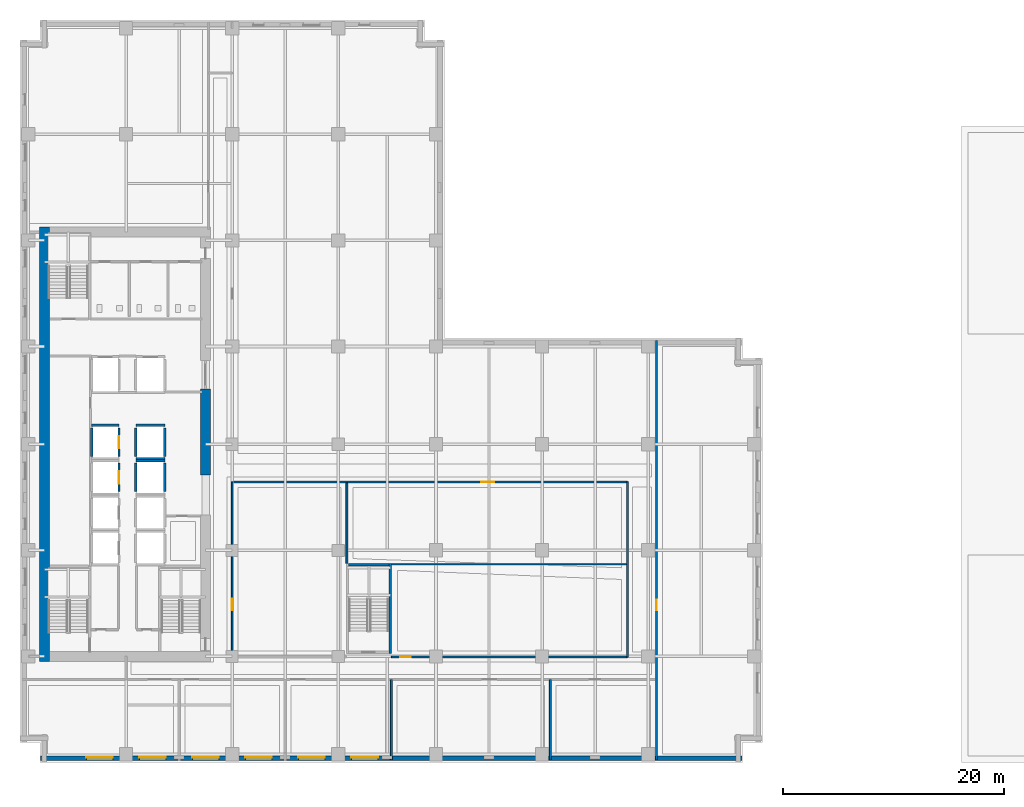
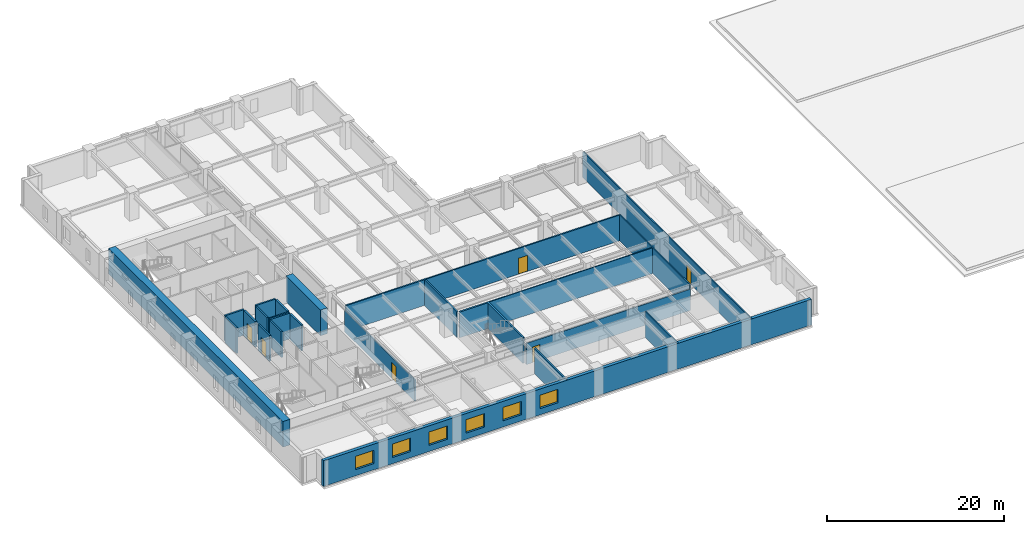
# One storey, part 5 of 14: 25 walls, 6 doors, 6 windows, 12 openings.
"""IFC4 building model written with IfcOpenShell, lengths in metres."""

from ifc_helpers import new_model, si_unit, direction, frame, frame_2d, origin, place, context, subcontext, project, spatial, rectangle, extrude, material, layer, layer_set, type_object, element, fill, save


model = new_model("IFC4")

# Units and contexts
model_context = context("Model", 3, precision=1e-05, world=origin(), true_north=direction((0.0, 1.0)))
body_context = subcontext(model_context, "Body", "Model", "MODEL_VIEW")
ifc_project = project(units=[si_unit("LENGTHUNIT", "METRE"), si_unit("AREAUNIT", "SQUARE_METRE"), si_unit("VOLUMEUNIT", "CUBIC_METRE"), si_unit("PLANEANGLEUNIT", "RADIAN"), si_unit("MASSUNIT", "GRAM", prefix="KILO")], contexts=[model_context])

# Site, building, storey
site_placement = place(None, origin())
site = spatial("IfcSite", under=ifc_project, at=site_placement, CompositionType="ELEMENT")
building_placement = place(site_placement, origin())
building = spatial("IfcBuilding", under=site, at=building_placement, Name="Norrvale University Quadrangle", CompositionType="ELEMENT")
storey_placement = place(building_placement, frame((0.0, 0.0, 24.199951171875)))
storey = spatial("IfcBuildingStorey", under=building, at=storey_placement, Name="L05", CompositionType="ELEMENT", Elevation=24.199951171875)

# Wall, openings, windows
ifc_material_1 = material(Name="Buff Norman Clay Brick Masonry", Category="masonry")
ifc_layer_1 = layer(ifc_material_1, 0.419921875, Name="Buff Norman Clay Brick Masonry")
ifc_layer_set_1 = layer_set([ifc_layer_1], Name="Buff Norman Clay Brick Masonry")
wall_type_1 = type_object("IfcWallType", Name="Wall Buff Brick 420", PredefinedType="SOLIDWALL", material=ifc_layer_set_1)
wall_1_placement = place(storey_placement, frame((1.840087890625, 0.389892578125, 0.0), z_axis=(0.0, 0.0, 1.0), x_axis=(1.0, 0.0, 0.0)))
wall_1 = element("IfcWall", 1, at=wall_1_placement, inside=storey, type_object=wall_type_1, Name="Exterior Brick Facade Wall L05-01.1", PredefinedType="SOLIDWALL", context=body_context, shape_type="SweptSolid", body=[
    extrude(rectangle(XDim=63.52001953125, YDim=0.419921875, at=frame_2d((31.760009765625, 0.0))), origin(), (0.0, 0.0, 1.0), 3.5400390625),
])
opening_1_placement = place(wall_1_placement, frame((4.159912109375, 0.0, 0.85009765625)))
opening_1 = element("IfcOpeningElement", 2, at=opening_1_placement, cuts=wall_1, Name="Opening W02", PredefinedType="OPENING", context=body_context, shape_type="SweptSolid", body=[
    extrude(rectangle(XDim=2.39990234375, YDim=1.85009765625, at=frame_2d((1.199951171875, 0.925048828125))), frame((0.0, 0.221923828125, 0.0), z_axis=(0.0, -1.0, 0.0), x_axis=(1.0, 0.0, 0.0)), (0.0, 0.0, 1.0), 0.44384765625),
])
opening_2_placement = place(wall_1_placement, frame((8.9599609375, 0.0, 0.85009765625)))
opening_2 = element("IfcOpeningElement", 3, at=opening_2_placement, cuts=wall_1, Name="Opening W02", PredefinedType="OPENING", context=body_context, shape_type="SweptSolid", body=[
    extrude(rectangle(XDim=2.39990234375, YDim=1.85009765625, at=frame_2d((1.199951171875, 0.925048828125))), frame((0.0, 0.221923828125, 0.0), z_axis=(0.0, -1.0, 0.0), x_axis=(1.0, 0.0, 0.0)), (0.0, 0.0, 1.0), 0.44384765625),
])
opening_3_placement = place(wall_1_placement, frame((13.760009765625, 0.0, 0.85009765625)))
opening_3 = element("IfcOpeningElement", 4, at=opening_3_placement, cuts=wall_1, Name="Opening W02", PredefinedType="OPENING", context=body_context, shape_type="SweptSolid", body=[
    extrude(rectangle(XDim=2.39990234375, YDim=1.85009765625, at=frame_2d((1.199951171875, 0.925048828125))), frame((0.0, 0.221923828125, 0.0), z_axis=(0.0, -1.0, 0.0), x_axis=(1.0, 0.0, 0.0)), (0.0, 0.0, 1.0), 0.44384765625),
])
opening_4_placement = place(wall_1_placement, frame((18.56005859375, 0.0, 0.85009765625)))
opening_4 = element("IfcOpeningElement", 5, at=opening_4_placement, cuts=wall_1, Name="Opening W02", PredefinedType="OPENING", context=body_context, shape_type="SweptSolid", body=[
    extrude(rectangle(XDim=2.39990234375, YDim=1.85009765625, at=frame_2d((1.199951171875, 0.925048828125))), frame((0.0, 0.221923828125, 0.0), z_axis=(0.0, -1.0, 0.0), x_axis=(1.0, 0.0, 0.0)), (0.0, 0.0, 1.0), 0.44384765625),
])
opening_5_placement = place(wall_1_placement, frame((23.360107421875, 0.0, 0.85009765625)))
opening_5 = element("IfcOpeningElement", 6, at=opening_5_placement, cuts=wall_1, Name="Opening W02", PredefinedType="OPENING", context=body_context, shape_type="SweptSolid", body=[
    extrude(rectangle(XDim=2.39990234375, YDim=1.85009765625, at=frame_2d((1.199951171875, 0.925048828125))), frame((0.0, 0.221923828125, 0.0), z_axis=(0.0, -1.0, 0.0), x_axis=(1.0, 0.0, 0.0)), (0.0, 0.0, 1.0), 0.44384765625),
])
opening_6_placement = place(wall_1_placement, frame((28.159912109375, 0.0, 0.85009765625)))
opening_6 = element("IfcOpeningElement", 7, at=opening_6_placement, cuts=wall_1, Name="Opening W02", PredefinedType="OPENING", context=body_context, shape_type="SweptSolid", body=[
    extrude(rectangle(XDim=2.39990234375, YDim=1.85009765625, at=frame_2d((1.199951171875, 0.925048828125))), frame((0.0, 0.221923828125, 0.0), z_axis=(0.0, -1.0, 0.0), x_axis=(1.0, 0.0, 0.0)), (0.0, 0.0, 1.0), 0.44384765625),
])
ifc_material_2 = material(Name="Triple Low-E Argon Glazing", Category="glass")
window_type = type_object("IfcWindowType", Name="Window Academic 2400x2300", PartitioningType="TRIPLE_PANEL_VERTICAL", PredefinedType="WINDOW", material=ifc_material_2)
window_1_placement = place(opening_1_placement, origin())
window_1 = element("IfcWindow", 8, at=window_1_placement, inside=storey, type_object=window_type, Name="Window Academic 2400x2300 WIN-L05-E01-1-01", OverallHeight=1.85009765625, OverallWidth=2.39990234375, PartitioningType="TRIPLE_PANEL_VERTICAL", PredefinedType="WINDOW", context=body_context, shape_type="SweptSolid", body=[
    extrude(rectangle(XDim=2.39990234375, YDim=1.85009765625, at=frame_2d((1.199951171875, 0.925048828125))), frame((0.0, 0.110107421875, 0.0), z_axis=(0.0, -1.0, 0.0), x_axis=(1.0, 0.0, 0.0)), (0.0, 0.0, 1.0), 0.06005859375),
])
fill(opening_1, window_1)
window_2_placement = place(opening_2_placement, origin())
window_2 = element("IfcWindow", 9, at=window_2_placement, inside=storey, type_object=window_type, Name="Window Academic 2400x2300 WIN-L05-E01-1-02", OverallHeight=1.85009765625, OverallWidth=2.39990234375, PartitioningType="TRIPLE_PANEL_VERTICAL", PredefinedType="WINDOW", context=body_context, shape_type="SweptSolid", body=[
    extrude(rectangle(XDim=2.39990234375, YDim=1.85009765625, at=frame_2d((1.199951171875, 0.925048828125))), frame((0.0, 0.110107421875, 0.0), z_axis=(0.0, -1.0, 0.0), x_axis=(1.0, 0.0, 0.0)), (0.0, 0.0, 1.0), 0.06005859375),
])
fill(opening_2, window_2)
window_3_placement = place(opening_3_placement, origin())
window_3 = element("IfcWindow", 10, at=window_3_placement, inside=storey, type_object=window_type, Name="Window Academic 2400x2300 WIN-L05-E01-1-03", OverallHeight=1.85009765625, OverallWidth=2.39990234375, PartitioningType="TRIPLE_PANEL_VERTICAL", PredefinedType="WINDOW", context=body_context, shape_type="SweptSolid", body=[
    extrude(rectangle(XDim=2.39990234375, YDim=1.85009765625, at=frame_2d((1.199951171875, 0.925048828125))), frame((0.0, 0.110107421875, 0.0), z_axis=(0.0, -1.0, 0.0), x_axis=(1.0, 0.0, 0.0)), (0.0, 0.0, 1.0), 0.06005859375),
])
fill(opening_3, window_3)
window_4_placement = place(opening_4_placement, origin())
window_4 = element("IfcWindow", 11, at=window_4_placement, inside=storey, type_object=window_type, Name="Window Academic 2400x2300 WIN-L05-E01-1-04", OverallHeight=1.85009765625, OverallWidth=2.39990234375, PartitioningType="TRIPLE_PANEL_VERTICAL", PredefinedType="WINDOW", context=body_context, shape_type="SweptSolid", body=[
    extrude(rectangle(XDim=2.39990234375, YDim=1.85009765625, at=frame_2d((1.199951171875, 0.925048828125))), frame((0.0, 0.110107421875, 0.0), z_axis=(0.0, -1.0, 0.0), x_axis=(1.0, 0.0, 0.0)), (0.0, 0.0, 1.0), 0.06005859375),
])
fill(opening_4, window_4)
window_5_placement = place(opening_5_placement, origin())
window_5 = element("IfcWindow", 12, at=window_5_placement, inside=storey, type_object=window_type, Name="Window Academic 2400x2300 WIN-L05-E01-1-05", OverallHeight=1.85009765625, OverallWidth=2.39990234375, PartitioningType="TRIPLE_PANEL_VERTICAL", PredefinedType="WINDOW", context=body_context, shape_type="SweptSolid", body=[
    extrude(rectangle(XDim=2.39990234375, YDim=1.85009765625, at=frame_2d((1.199951171875, 0.925048828125))), frame((0.0, 0.110107421875, 0.0), z_axis=(0.0, -1.0, 0.0), x_axis=(1.0, 0.0, 0.0)), (0.0, 0.0, 1.0), 0.06005859375),
])
fill(opening_5, window_5)
window_6_placement = place(opening_6_placement, origin())
window_6 = element("IfcWindow", 13, at=window_6_placement, inside=storey, type_object=window_type, Name="Window Academic 2400x2300 WIN-L05-E01-1-06", OverallHeight=1.85009765625, OverallWidth=2.39990234375, PartitioningType="TRIPLE_PANEL_VERTICAL", PredefinedType="WINDOW", context=body_context, shape_type="SweptSolid", body=[
    extrude(rectangle(XDim=2.39990234375, YDim=1.85009765625, at=frame_2d((1.199951171875, 0.925048828125))), frame((0.0, 0.110107421875, 0.0), z_axis=(0.0, -1.0, 0.0), x_axis=(1.0, 0.0, 0.0)), (0.0, 0.0, 1.0), 0.06005859375),
])
fill(opening_6, window_6)

# Walls
ifc_material_3 = material(Name="Concrete C80/95", Category="concrete")
ifc_layer_2 = layer(ifc_material_3, 0.89990234375, Name="Concrete C80/95")
ifc_layer_set_2 = layer_set([ifc_layer_2], Name="Concrete C80/95")
wall_type_2 = type_object("IfcWallType", Name="Wall Core 900", PredefinedType="SHEAR", material=ifc_layer_set_2)
wall_2_placement = place(storey_placement, frame((2.199951171875, 9.14990234375, 0.0), z_axis=(0.0, 0.0, 1.0), x_axis=(0.0, 1.0, 0.0)))
element("IfcWall", 14, at=wall_2_placement, inside=storey, type_object=wall_type_2, Name="Tower Core Shear Wall L05-W", PredefinedType="SHEAR", context=body_context, shape_type="SweptSolid", body=[
    extrude(rectangle(XDim=39.300048828125, YDim=0.89990234375, at=frame_2d((19.64990234375, 0.0))), origin(), (0.0, 0.0, 1.0), 3.5400390625),
])
wall_3_placement = place(storey_placement, frame((16.800048828125, 26.0, 0.0), z_axis=(0.0, 0.0, 1.0), x_axis=(0.0, 1.0, 0.0)))
element("IfcWall", 15, at=wall_3_placement, inside=storey, type_object=wall_type_2, Name="Tower Core Shear Wall L05-E2", PredefinedType="SHEAR", context=body_context, shape_type="SweptSolid", body=[
    extrude(rectangle(XDim=7.800048828125, YDim=0.89990234375, at=frame_2d((3.89990234375, 0.0))), origin(), (0.0, 0.0, 1.0), 3.5400390625),
])
ifc_material_4 = material(Name="Standard Academic Gypsum Partition")
ifc_layer_3 = layer(ifc_material_4, 0.125, Name="Standard Academic Gypsum Partition")
ifc_layer_set_3 = layer_set([ifc_layer_3], Name="Standard Academic Gypsum Partition")
wall_type_3 = type_object("IfcWallType", Name="Wall Gypsum Academic 125", PredefinedType="PARTITIONING", material=ifc_layer_set_3)
wall_4_placement = place(storey_placement, frame((33.6201171875, 17.93994140625, 0.0), z_axis=(0.0, 0.0, 1.0), x_axis=(1.0, 0.0, 0.0)))
element("IfcWall", 16, at=wall_4_placement, inside=storey, type_object=wall_type_3, Name="Interior Partition WL-L05-ISLH", PredefinedType="PARTITIONING", context=body_context, shape_type="SweptSolid", body=[
    extrude(rectangle(XDim=21.35498046875, YDim=0.125, at=frame_2d((10.677490234375, 0.0))), origin(), (0.0, 0.0, 1.0), 3.5400390625),
])

# Wall, opening, door
ifc_material_5 = material(Name="Fire-Rated Gypsum Stud Partition")
ifc_layer_4 = layer(ifc_material_5, 0.14990234375, Name="Fire-Rated Gypsum Stud Partition")
ifc_layer_set_4 = layer_set([ifc_layer_4], Name="Fire-Rated Gypsum Stud Partition")
wall_type_4 = type_object("IfcWallType", Name="Wall Gypsum Corridor 150", PredefinedType="PARTITIONING", material=ifc_layer_set_4)
wall_5_placement = place(storey_placement, frame((57.60009765625, 0.219970703125, 0.0), z_axis=(0.0, 0.0, 1.0), x_axis=(0.0, 1.0, 0.0)))
wall_5 = element("IfcWall", 17, at=wall_5_placement, inside=storey, type_object=wall_type_4, Name="Interior Partition WL-L05-ECW", PredefinedType="PARTITIONING", context=body_context, shape_type="SweptSolid", body=[
    extrude(rectangle(XDim=37.9599609375, YDim=0.14990234375, at=frame_2d((18.97998046875, 0.0))), origin(), (0.0, 0.0, 1.0), 3.5400390625),
])
opening_7_placement = place(wall_5_placement, frame((13.580078125, 0.0, 0.0)))
opening_7 = element("IfcOpeningElement", 18, at=opening_7_placement, cuts=wall_5, Name="Opening D07", PredefinedType="OPENING", context=body_context, shape_type="SweptSolid", body=[
    extrude(rectangle(XDim=0.949951171875, YDim=2.14990234375, at=frame_2d((0.47509765625, 1.074951171875))), frame((0.0, 0.0869140625, 0.0), z_axis=(0.0, -1.0, 0.0), x_axis=(1.0, 0.0, 0.0)), (0.0, 0.0, 1.0), 0.173828125),
])
ifc_material_6 = material(Name="Solid-Core Maple Door", Category="wood")
door_type_1 = type_object("IfcDoorType", Name="Door Office 950x2150", OperationType="NOTDEFINED", PredefinedType="DOOR", material=ifc_material_6)
door_1_placement = place(opening_7_placement, origin())
door_1 = element("IfcDoor", 19, at=door_1_placement, inside=storey, type_object=door_type_1, Name="Door Office 950x2150 DR-L05-E01", OperationType="SINGLE_SWING_RIGHT", OverallHeight=2.14990234375, OverallWidth=0.949951171875, PredefinedType="DOOR", context=body_context, shape_type="SweptSolid", body=[
    extrude(rectangle(XDim=0.949951171875, YDim=2.14990234375, at=frame_2d((0.47509765625, 1.074951171875))), frame((0.0, 0.02490234375, 0.0), z_axis=(0.0, -1.0, 0.0), x_axis=(1.0, 0.0, 0.0)), (0.0, 0.0, 1.0), 0.050048828125),
])
fill(opening_7, door_1)

wall_6_placement = place(storey_placement, frame((19.199951171875, 9.550048828125, 0.0), z_axis=(0.0, 0.0, 1.0), x_axis=(0.0, 1.0, 0.0)))
wall_6 = element("IfcWall", 20, at=wall_6_placement, inside=storey, type_object=wall_type_4, Name="Interior Partition WL-L05-ISLW", PredefinedType="PARTITIONING", context=body_context, shape_type="SweptSolid", body=[
    extrude(rectangle(XDim=15.849853515625, YDim=0.14990234375, at=frame_2d((7.9248046875, 0.0))), origin(), (0.0, 0.0, 1.0), 2.923095703125),
])
opening_8_placement = place(wall_6_placement, frame((4.25, 0.0, 0.0)))
opening_8 = element("IfcOpeningElement", 21, at=opening_8_placement, cuts=wall_6, Name="Opening D04", PredefinedType="OPENING", context=body_context, shape_type="SweptSolid", body=[
    extrude(rectangle(XDim=1.0, YDim=2.199951171875, at=frame_2d((0.5, 1.10009765625))), frame((0.0, 0.0869140625, 0.0), z_axis=(0.0, -1.0, 0.0), x_axis=(1.0, 0.0, 0.0)), (0.0, 0.0, 1.0), 0.173828125),
])
ifc_material_7 = material(Name="Solid-Core Oak Fire Door", Category="wood")
door_type_2 = type_object("IfcDoorType", Name="Door Corridor 1000x2200", OperationType="NOTDEFINED", PredefinedType="DOOR", material=ifc_material_7)
door_2_placement = place(opening_8_placement, origin())
door_2 = element("IfcDoor", 22, at=door_2_placement, inside=storey, type_object=door_type_2, Name="Door Corridor 1000x2200 DR-L05-IW1", OperationType="SINGLE_SWING_LEFT", OverallHeight=2.199951171875, OverallWidth=1.0, PredefinedType="DOOR", context=body_context, shape_type="SweptSolid", body=[
    extrude(rectangle(XDim=1.0, YDim=2.199951171875, at=frame_2d((0.5, 1.10009765625))), frame((0.0, 0.02490234375, 0.0), z_axis=(0.0, -1.0, 0.0), x_axis=(1.0, 0.0, 0.0)), (0.0, 0.0, 1.0), 0.050048828125),
])
fill(opening_8, door_2)

wall_7_placement = place(storey_placement, frame((33.6201171875, 9.550048828125, 0.0), z_axis=(0.0, 0.0, 1.0), x_axis=(1.0, 0.0, 0.0)))
wall_7 = element("IfcWall", 23, at=wall_7_placement, inside=storey, type_object=wall_type_4, Name="Interior Partition WL-L05-ISLS2", PredefinedType="PARTITIONING", context=body_context, shape_type="SweptSolid", body=[
    extrude(rectangle(XDim=21.35498046875, YDim=0.14990234375, at=frame_2d((10.677490234375, 0.0))), origin(), (0.0, 0.0, 1.0), 2.923095703125),
])
opening_9_placement = place(wall_7_placement, frame((0.800048828125, 0.0, 0.0)))
opening_9 = element("IfcOpeningElement", 24, at=opening_9_placement, cuts=wall_7, Name="Opening D07", PredefinedType="OPENING", context=body_context, shape_type="SweptSolid", body=[
    extrude(rectangle(XDim=0.949951171875, YDim=2.14990234375, at=frame_2d((0.47509765625, 1.074951171875))), frame((0.0, 0.0869140625, 0.0), z_axis=(0.0, -1.0, 0.0), x_axis=(1.0, 0.0, 0.0)), (0.0, 0.0, 1.0), 0.173828125),
])
door_3_placement = place(opening_9_placement, origin())
door_3 = element("IfcDoor", 25, at=door_3_placement, inside=storey, type_object=door_type_1, Name="Door Office 950x2150 DR-L05-ISE", OperationType="SINGLE_SWING_LEFT", OverallHeight=2.14990234375, OverallWidth=0.949951171875, PredefinedType="DOOR", context=body_context, shape_type="SweptSolid", body=[
    extrude(rectangle(XDim=0.949951171875, YDim=2.14990234375, at=frame_2d((0.47509765625, 1.074951171875))), frame((0.0, 0.02490234375, 0.0), z_axis=(0.0, -1.0, 0.0), x_axis=(1.0, 0.0, 0.0)), (0.0, 0.0, 1.0), 0.050048828125),
])
fill(opening_9, door_3)

# Walls
wall_8_placement = place(storey_placement, frame((54.97509765625, 9.550048828125, 0.0), z_axis=(0.0, 0.0, 1.0), x_axis=(0.0, 1.0, 0.0)))
element("IfcWall", 26, at=wall_8_placement, inside=storey, type_object=wall_type_4, Name="Interior Partition WL-L05-ISLE", PredefinedType="PARTITIONING", context=body_context, shape_type="SweptSolid", body=[
    extrude(rectangle(XDim=15.849853515625, YDim=0.14990234375, at=frame_2d((7.9248046875, 0.0))), origin(), (0.0, 0.0, 1.0), 3.5400390625),
])
ifc_material_8 = material(Name="Acoustic Double-Stud Gypsum Partition")
ifc_layer_5 = layer(ifc_material_8, 0.179931640625, Name="Acoustic Double-Stud Gypsum Partition")
ifc_layer_set_5 = layer_set([ifc_layer_5], Name="Acoustic Double-Stud Gypsum Partition")
wall_type_5 = type_object("IfcWallType", Name="Wall Gypsum Lecture 180", PredefinedType="PARTITIONING", material=ifc_layer_set_5)
for number, where, z_axis, x_axis, name in (
    (27, (33.60009765625, 0.219970703125, 0.0), (0.0, 0.0, 1.0), (0.0, 1.0, 0.0), "Interior Partition WL-L05-SP03"),
    (28, (48.0, 0.219970703125, 0.0), (0.0, 0.0, 1.0), (0.0, 1.0, 0.0), "Interior Partition WL-L05-SP04"),
    (29, (29.580078125, 18.02490234375, 0.0), (0.0, 0.0, 1.0), (0.0, 1.0, 0.0), "Interior Partition WL-L05-ISLD"),
):
    element("IfcWall", number, at=place(storey_placement, frame(where, z_axis=z_axis, x_axis=x_axis)), inside=storey, type_object=wall_type_5, Name=name, PredefinedType="PARTITIONING", context=body_context, shape_type="SweptSolid", body=[
        extrude(rectangle(XDim=7.280029296875, YDim=0.179931640625, at=frame_2d((3.64013671875, 0.0))), origin(), (0.0, 0.0, 1.0), 3.5400390625),
    ])

# Wall, opening, door
wall_9_placement = place(storey_placement, frame((19.280029296875, 25.39990234375, 0.0), z_axis=(0.0, 0.0, 1.0), x_axis=(1.0, 0.0, 0.0)))
wall_9 = element("IfcWall", 30, at=wall_9_placement, inside=storey, type_object=wall_type_5, Name="Interior Partition WL-L05-ISLN", PredefinedType="PARTITIONING", context=body_context, shape_type="SweptSolid", body=[
    extrude(rectangle(XDim=35.695068359375, YDim=0.179931640625, at=frame_2d((17.84765625, 0.0))), origin(), (0.0, 0.0, 1.0), 3.5400390625),
])
opening_10_placement = place(wall_9_placement, frame((22.45703125, 0.0, 0.0)))
opening_10 = element("IfcOpeningElement", 31, at=opening_10_placement, cuts=wall_9, Name="Opening D05", PredefinedType="OPENING", context=body_context, shape_type="SweptSolid", body=[
    extrude(rectangle(XDim=1.199951171875, YDim=2.199951171875, at=frame_2d((0.60009765625, 1.10009765625))), frame((0.0, 0.10205078125, 0.0), z_axis=(0.0, -1.0, 0.0), x_axis=(1.0, 0.0, 0.0)), (0.0, 0.0, 1.0), 0.203857421875),
])
ifc_material_9 = material(Name="Acoustic Oak Classroom Door", Category="wood")
door_type_3 = type_object("IfcDoorType", Name="Door Classroom 1200x2200", OperationType="NOTDEFINED", PredefinedType="DOOR", material=ifc_material_9)
door_4_placement = place(opening_10_placement, origin())
door_4 = element("IfcDoor", 32, at=door_4_placement, inside=storey, type_object=door_type_3, Name="Door Classroom 1200x2200 DR-L05-ILH", OperationType="SINGLE_SWING_RIGHT", OverallHeight=2.199951171875, OverallWidth=1.199951171875, PredefinedType="DOOR", context=body_context, shape_type="SweptSolid", body=[
    extrude(rectangle(XDim=1.199951171875, YDim=2.199951171875, at=frame_2d((0.60009765625, 1.10009765625))), frame((0.0, 0.02490234375, 0.0), z_axis=(0.0, -1.0, 0.0), x_axis=(1.0, 0.0, 0.0)), (0.0, 0.0, 1.0), 0.050048828125),
])
fill(opening_10, door_4)

# Walls
ifc_material_10 = material(Name="Concrete Blockwork 20 MPa Fire Shaft", Category="masonry")
ifc_layer_6 = layer(ifc_material_10, 0.219970703125, Name="Concrete Blockwork 20 MPa Fire Shaft")
ifc_layer_set_6 = layer_set([ifc_layer_6], Name="Concrete Blockwork 20 MPa Fire Shaft")
wall_type_6 = type_object("IfcWallType", Name="Wall Shaft 220", PredefinedType="SOLIDWALL", material=ifc_layer_set_6)
wall_10_placement = place(storey_placement, frame((33.510009765625, 9.8798828125, 0.0), z_axis=(0.0, 0.0, 1.0), x_axis=(0.0, 1.0, 0.0)))
element("IfcWall", 33, at=wall_10_placement, inside=storey, type_object=wall_type_6, Name="Stair ST-04 East Shaft Wall L05", PredefinedType="SOLIDWALL", context=body_context, shape_type="SweptSolid", body=[
    extrude(rectangle(XDim=8.14013671875, YDim=0.219970703125, at=frame_2d((4.070068359375, 0.0))), origin(), (0.0, 0.0, 1.0), 3.5400390625),
])
wall_11_placement = place(storey_placement, frame((29.75, 17.909912109375, 0.0), z_axis=(0.0, 0.0, 1.0), x_axis=(1.0, 0.0, 0.0)))
element("IfcWall", 34, at=wall_11_placement, inside=storey, type_object=wall_type_6, Name="Stair ST-04 North Shaft Wall L05", PredefinedType="SOLIDWALL", context=body_context, shape_type="SweptSolid", body=[
    extrude(rectangle(XDim=3.64990234375, YDim=0.219970703125, at=frame_2d((1.824951171875, 0.0))), origin(), (0.0, 0.0, 1.0), 3.5400390625),
])

# Wall, opening, door
wall_12_placement = place(storey_placement, frame((8.9599609375, 24.510009765625, 0.0), z_axis=(0.0, 0.0, 1.0), x_axis=(0.0, 1.0, 0.0)))
wall_12 = element("IfcWall", 35, at=wall_12_placement, inside=storey, type_object=wall_type_6, Name="Hoistway PL-03 East Wall L05", PredefinedType="SOLIDWALL", context=body_context, shape_type="SweptSolid", body=[
    extrude(rectangle(XDim=2.580078125, YDim=0.219970703125, at=frame_2d((1.2900390625, 0.0))), origin(), (0.0, 0.0, 1.0), 3.5400390625),
])
opening_11_placement = place(wall_12_placement, frame((0.739990234375, 0.0, 0.0)))
opening_11 = element("IfcOpeningElement", 36, at=opening_11_placement, cuts=wall_12, Name="Opening LD1", PredefinedType="OPENING", context=body_context, shape_type="SweptSolid", body=[
    extrude(rectangle(XDim=1.10009765625, YDim=2.199951171875, at=frame_2d((0.550048828125, 1.10009765625))), frame((0.0, 0.1220703125, 0.0), z_axis=(0.0, -1.0, 0.0), x_axis=(1.0, 0.0, 0.0)), (0.0, 0.0, 1.0), 0.243896484375),
])
ifc_material_11 = material(Name="Stainless Steel 316L Lift Landing Door", Category="steel")
door_type_4 = type_object("IfcDoorType", Name="Door Lift Landing 1100x2200", OperationType="DOUBLE_DOOR_SLIDING", PredefinedType="DOOR", material=ifc_material_11)
door_5_placement = place(opening_11_placement, origin())
door_5 = element("IfcDoor", 37, at=door_5_placement, inside=storey, type_object=door_type_4, Name="Elevator Landing Door DR-L05-PL-03", OperationType="DOUBLE_DOOR_SLIDING", OverallHeight=2.199951171875, OverallWidth=1.10009765625, PredefinedType="DOOR", context=body_context, shape_type="SweptSolid", body=[
    extrude(rectangle(XDim=1.10009765625, YDim=2.199951171875, at=frame_2d((0.550048828125, 1.10009765625))), frame((0.0, 0.02490234375, 0.0), z_axis=(0.0, -1.0, 0.0), x_axis=(1.0, 0.0, 0.0)), (0.0, 0.0, 1.0), 0.050048828125),
])
fill(opening_11, door_5)

# Wall
wall_13_placement = place(storey_placement, frame((6.489990234375, 27.7099609375, 0.0), z_axis=(0.0, 0.0, 1.0), x_axis=(0.0, 1.0, 0.0)))
element("IfcWall", 38, at=wall_13_placement, inside=storey, type_object=wall_type_6, Name="Hoistway PL-04 West Wall L05", PredefinedType="SOLIDWALL", context=body_context, shape_type="SweptSolid", body=[
    extrude(rectangle(XDim=2.580078125, YDim=0.219970703125, at=frame_2d((1.2900390625, 0.0))), origin(), (0.0, 0.0, 1.0), 3.5400390625),
])

# Wall, opening, door
wall_14_placement = place(storey_placement, frame((8.9599609375, 27.7099609375, 0.0), z_axis=(0.0, 0.0, 1.0), x_axis=(0.0, 1.0, 0.0)))
wall_14 = element("IfcWall", 39, at=wall_14_placement, inside=storey, type_object=wall_type_6, Name="Hoistway PL-04 East Wall L05", PredefinedType="SOLIDWALL", context=body_context, shape_type="SweptSolid", body=[
    extrude(rectangle(XDim=2.580078125, YDim=0.219970703125, at=frame_2d((1.2900390625, 0.0))), origin(), (0.0, 0.0, 1.0), 3.5400390625),
])
opening_12_placement = place(wall_14_placement, frame((0.739990234375, 0.0, 0.0)))
opening_12 = element("IfcOpeningElement", 40, at=opening_12_placement, cuts=wall_14, Name="Opening LD1", PredefinedType="OPENING", context=body_context, shape_type="SweptSolid", body=[
    extrude(rectangle(XDim=1.10009765625, YDim=2.199951171875, at=frame_2d((0.550048828125, 1.10009765625))), frame((0.0, 0.1220703125, 0.0), z_axis=(0.0, -1.0, 0.0), x_axis=(1.0, 0.0, 0.0)), (0.0, 0.0, 1.0), 0.243896484375),
])
door_6_placement = place(opening_12_placement, origin())
door_6 = element("IfcDoor", 41, at=door_6_placement, inside=storey, type_object=door_type_4, Name="Elevator Landing Door DR-L05-PL-04", OperationType="DOUBLE_DOOR_SLIDING", OverallHeight=2.199951171875, OverallWidth=1.10009765625, PredefinedType="DOOR", context=body_context, shape_type="SweptSolid", body=[
    extrude(rectangle(XDim=1.10009765625, YDim=2.199951171875, at=frame_2d((0.550048828125, 1.10009765625))), frame((0.0, 0.02490234375, 0.0), z_axis=(0.0, -1.0, 0.0), x_axis=(1.0, 0.0, 0.0)), (0.0, 0.0, 1.0), 0.050048828125),
])
fill(opening_12, door_6)

# Walls
wall_15_placement = place(storey_placement, frame((6.489990234375, 30.510009765625, 0.0), z_axis=(0.0, 0.0, 1.0), x_axis=(1.0, 0.0, 0.0)))
element("IfcWall", 42, at=wall_15_placement, inside=storey, type_object=wall_type_6, Name="Hoistway PL-04 North Wall L05", PredefinedType="SOLIDWALL", context=body_context, shape_type="SweptSolid", body=[
    extrude(rectangle(XDim=2.469970703125, YDim=0.219970703125, at=frame_2d((1.23486328125, 0.0))), origin(), (0.0, 0.0, 1.0), 3.5400390625),
])
for number, where, z_axis, x_axis, name in (
    (43, (10.489990234375, 24.510009765625, 0.0), (0.0, 0.0, 1.0), (0.0, 1.0, 0.0), "Hoistway PL-07 West Wall L05"),
    (44, (13.110107421875, 24.510009765625, 0.0), (0.0, 0.0, 1.0), (0.0, 1.0, 0.0), "Hoistway PL-07 East Wall L05"),
):
    element("IfcWall", number, at=place(storey_placement, frame(where, z_axis=z_axis, x_axis=x_axis)), inside=storey, type_object=wall_type_6, Name=name, PredefinedType="SOLIDWALL", context=body_context, shape_type="SweptSolid", body=[
        extrude(rectangle(XDim=2.580078125, YDim=0.219970703125, at=frame_2d((1.2900390625, 0.0))), origin(), (0.0, 0.0, 1.0), 3.5400390625),
    ])
wall_16_placement = place(storey_placement, frame((10.489990234375, 27.31005859375, 0.0), z_axis=(0.0, 0.0, 1.0), x_axis=(1.0, 0.0, 0.0)))
element("IfcWall", 45, at=wall_16_placement, inside=storey, type_object=wall_type_6, Name="Hoistway PL-07 North Wall L05", PredefinedType="SOLIDWALL", context=body_context, shape_type="SweptSolid", body=[
    extrude(rectangle(XDim=2.6201171875, YDim=0.219970703125, at=frame_2d((1.31005859375, 0.0))), origin(), (0.0, 0.0, 1.0), 3.5400390625),
])
for number, where, z_axis, x_axis, name in (
    (46, (10.489990234375, 27.7099609375, 0.0), (0.0, 0.0, 1.0), (0.0, 1.0, 0.0), "Hoistway PL-08 West Wall L05"),
    (47, (13.110107421875, 27.7099609375, 0.0), (0.0, 0.0, 1.0), (0.0, 1.0, 0.0), "Hoistway PL-08 East Wall L05"),
):
    element("IfcWall", number, at=place(storey_placement, frame(where, z_axis=z_axis, x_axis=x_axis)), inside=storey, type_object=wall_type_6, Name=name, PredefinedType="SOLIDWALL", context=body_context, shape_type="SweptSolid", body=[
        extrude(rectangle(XDim=2.580078125, YDim=0.219970703125, at=frame_2d((1.2900390625, 0.0))), origin(), (0.0, 0.0, 1.0), 3.5400390625),
    ])
for number, where, z_axis, x_axis, name in (
    (48, (10.489990234375, 27.489990234375, 0.0), (0.0, 0.0, 1.0), (1.0, 0.0, 0.0), "Hoistway PL-08 South Wall L05"),
    (49, (10.489990234375, 30.510009765625, 0.0), (0.0, 0.0, 1.0), (1.0, 0.0, 0.0), "Hoistway PL-08 North Wall L05"),
):
    element("IfcWall", number, at=place(storey_placement, frame(where, z_axis=z_axis, x_axis=x_axis)), inside=storey, type_object=wall_type_6, Name=name, PredefinedType="SOLIDWALL", context=body_context, shape_type="SweptSolid", body=[
        extrude(rectangle(XDim=2.6201171875, YDim=0.219970703125, at=frame_2d((1.31005859375, 0.0))), origin(), (0.0, 0.0, 1.0), 3.5400390625),
    ])

save(model, "model.ifc")
